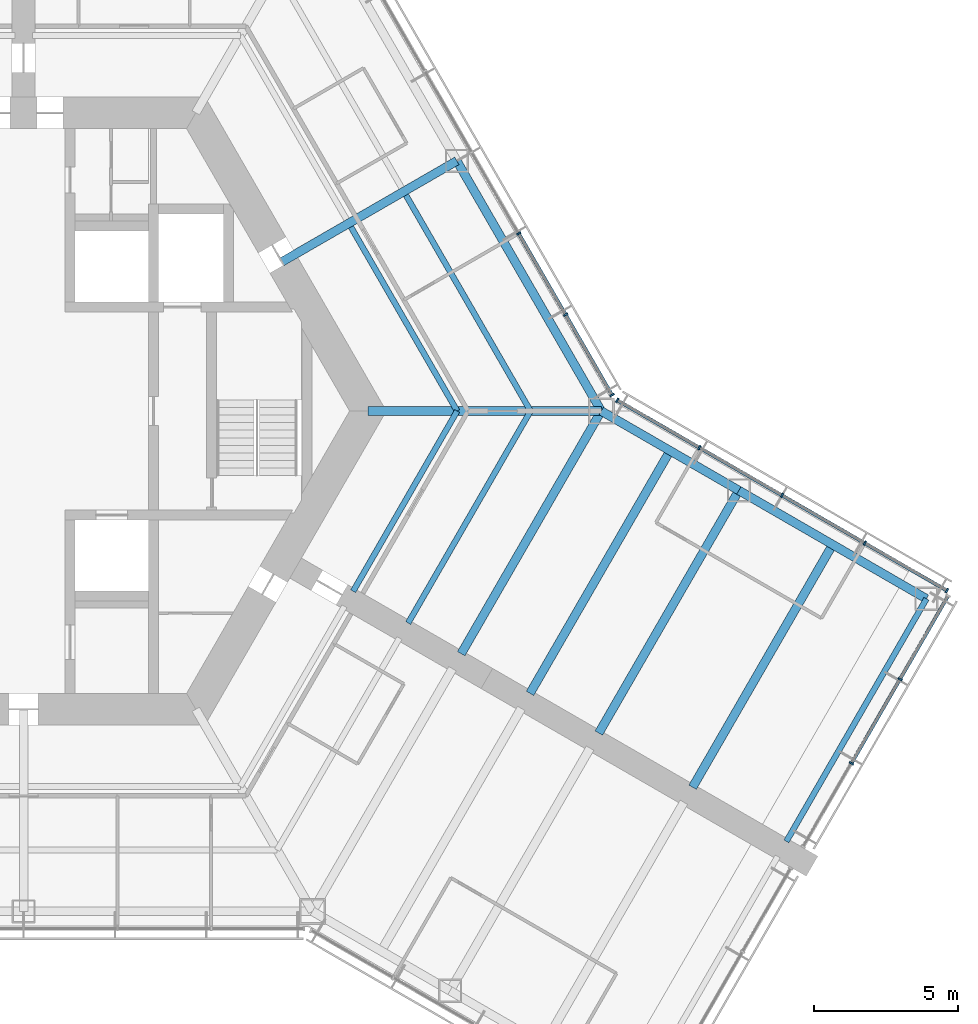
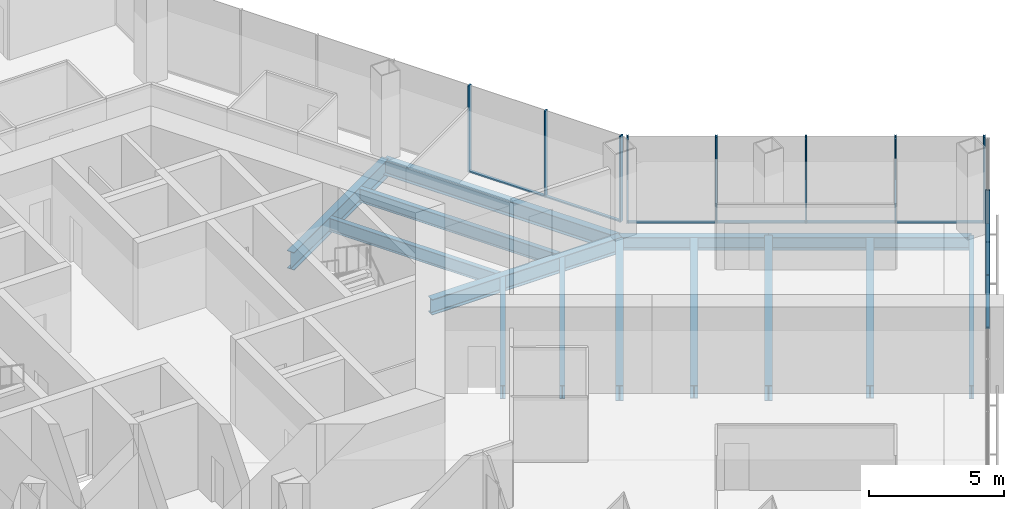
# One storey, part 6 of 19: 18 members, 14 beams, 3 elements without a shape of their own.
"""IFC4 building model written with IfcOpenShell, lengths in metres."""

from ifc_helpers import new_model, si_unit, direction, frame, origin, origin_2d, place, context, subcontext, project, spatial, rectangle, i_section, extrude, material, material_profile, profile_set, type_object, element, aggregate, save


model = new_model("IFC4")

# Units and contexts
model_context = context("Model", 3, precision=1e-05, world=origin(), true_north=direction((0.0, 1.0)))
body_context = subcontext(model_context, "Body", "Model", "MODEL_VIEW")
ifc_project = project(units=[si_unit("LENGTHUNIT", "METRE"), si_unit("AREAUNIT", "SQUARE_METRE"), si_unit("VOLUMEUNIT", "CUBIC_METRE"), si_unit("PLANEANGLEUNIT", "RADIAN"), si_unit("MASSUNIT", "GRAM", prefix="KILO")], contexts=[model_context])

# Site, building, storey
site_placement = place(None, origin())
site = spatial("IfcSite", under=ifc_project, at=site_placement, CompositionType="ELEMENT")
building_placement = place(site_placement, origin())
building = spatial("IfcBuilding", under=site, at=building_placement, Name="Kasaneha Research Tower", CompositionType="ELEMENT")
storey_placement = place(building_placement, frame((0.0, 0.0, 84.60009765625)))
storey = spatial("IfcBuildingStorey", under=building, at=storey_placement, Name="L21", CompositionType="ELEMENT", Elevation=84.60009765625)

# Beams
ifc_material_1 = material(Name="Steel SN490B", Category="steel")
ifc_material_profile_1 = material_profile(ifc_material_1, i_section(OverallWidth=0.199951171875, OverallDepth=0.60009765625, WebThickness=0.010986328125, FlangeThickness=0.01708984375, FilletRadius=0.012939453125, at=origin_2d()), Name="H-600x200x11x17")
ifc_profile_set_1 = profile_set([ifc_material_profile_1], Name="Steel SN490B")
beam_type_1 = type_object("IfcBeamType", Name="B1-3 secondary beam H-600x200x11x17", PredefinedType="JOIST", material=ifc_profile_set_1)
beam_1_placement = place(storey_placement, frame((15.010986328125, 0.0, -0.4501953125), z_axis=(-0.499994443168, 0.866028611999, 0.0), x_axis=(-0.866028611999, -0.499994443168, 0.0)))
element("IfcBeam", 1, at=beam_1_placement, inside=storey, type_object=beam_type_1, Name="Secondary beam RS030L1 L21", PredefinedType="JOIST", context=body_context, shape_type="SweptSolid", body=[
    extrude(i_section(OverallWidth=0.199951171875, OverallDepth=0.60009765625, WebThickness=0.010986328125, FlangeThickness=0.01708984375, FilletRadius=0.012939453125, at=origin_2d()), origin(), (0.0, 0.0, 1.0), 7.35546875),
])
beam_2_placement = place(storey_placement, frame((17.551513671875, 0.0, -0.4501953125), z_axis=(-0.5000050195, 0.866022505755, 0.0), x_axis=(-0.866022505755, -0.5000050195, 0.0)))
element("IfcBeam", 2, at=beam_2_placement, inside=storey, type_object=beam_type_1, Name="Secondary beam RS030L2 L21", PredefinedType="JOIST", context=body_context, shape_type="SweptSolid", body=[
    extrude(i_section(OverallWidth=0.199951171875, OverallDepth=0.60009765625, WebThickness=0.010986328125, FlangeThickness=0.01708984375, FilletRadius=0.012939453125, at=origin_2d()), origin(), (0.0, 0.0, 1.0), 8.6259765625),
])
beam_3_placement = place(storey_placement, frame((15.010986328125, 0.0, -0.4501953125), z_axis=(-0.499972735707, -0.866041144259, 0.0), x_axis=(0.866041144259, -0.499972735707, 0.0)))
element("IfcBeam", 3, at=beam_3_placement, inside=storey, type_object=beam_type_1, Name="Secondary beam RS330R1 L21", PredefinedType="JOIST", context=body_context, shape_type="SweptSolid", body=[
    extrude(i_section(OverallWidth=0.199951171875, OverallDepth=0.60009765625, WebThickness=0.010986328125, FlangeThickness=0.01708984375, FilletRadius=0.012939453125, at=origin_2d()), origin(), (0.0, 0.0, 1.0), 7.20556640625),
])
beam_4_placement = place(storey_placement, frame((17.551513671875, 0.0, -0.4501953125), z_axis=(-0.500020829043, -0.866013377797, 0.0), x_axis=(0.866013377797, -0.500020829043, 0.0)))
element("IfcBeam", 4, at=beam_4_placement, inside=storey, type_object=beam_type_1, Name="Secondary beam RS330R2 L21", PredefinedType="JOIST", context=body_context, shape_type="SweptSolid", body=[
    extrude(i_section(OverallWidth=0.199951171875, OverallDepth=0.60009765625, WebThickness=0.010986328125, FlangeThickness=0.01708984375, FilletRadius=0.012939453125, at=origin_2d()), origin(), (0.0, 0.0, 1.0), 8.475830078125),
])
ifc_material_2 = material(Name="Steel SN490B", Category="steel")
ifc_material_profile_2 = material_profile(ifc_material_2, i_section(OverallWidth=0.300048828125, OverallDepth=0.58203125, WebThickness=0.011962890625, FlangeThickness=0.01708984375, FilletRadius=0.012939453125, at=origin_2d()), Name="H-582x300x12x17")
ifc_profile_set_2 = profile_set([ifc_material_profile_2], Name="Steel SN490B")
beam_type_2 = type_object("IfcBeamType", Name="B2-3 secondary beam H-582x300x12x17", PredefinedType="JOIST", material=ifc_profile_set_2)
for number, where, z_axis, x_axis, name in (
    (5, (22.381591796875, -1.375, -0.441162109375), (-0.500010041276, -0.866019606374, 0.0), (0.866019606374, -0.500010041276, 0.0), "Secondary beam WBCN1 L21"),
    (6, (28.0107421875, -4.625, -0.441162109375), (-0.500010041276, -0.866019606374, 0.0), (0.866019606374, -0.500010041276, 0.0), "Secondary beam WBCN2 L21"),
):
    element("IfcBeam", number, at=place(storey_placement, frame(where, z_axis=z_axis, x_axis=x_axis)), inside=storey, type_object=beam_type_2, Name=name, PredefinedType="JOIST", context=body_context, shape_type="SweptSolid", body=[
        extrude(i_section(OverallWidth=0.300048828125, OverallDepth=0.58203125, WebThickness=0.011962890625, FlangeThickness=0.01708984375, FilletRadius=0.012939453125, at=origin_2d()), origin(), (0.0, 0.0, 1.0), 9.699951171875),
    ])

# Curtain wall, members
ifc_material_3 = material(Name="Glass and aluminium", Category="aluminium")
curtain_wall_type = type_object("IfcCurtainWallType", Name="Low-rise office curtain wall", PredefinedType="USERDEFINED", material=ifc_material_3)
curtain_wall_1_placement = place(storey_placement, origin())
curtain_wall_1 = element("IfcCurtainWall", 7, at=curtain_wall_1_placement, inside=storey, type_object=curtain_wall_type, Name="CW-O1 L21 run 05a", ObjectType="UNITISED CURTAIN WALL", PredefinedType="USERDEFINED")
ifc_material_4 = material(Name="Aluminium 6063-T6", Category="aluminium")
ifc_material_profile_3 = material_profile(ifc_material_4, rectangle(XDim=0.06005859375, YDim=0.159912109375, at=origin_2d()), Name="CW-O1 mullion 60x160")
ifc_profile_set_3 = profile_set([ifc_material_profile_3], Name="Aluminium 6063-T6")
member_type_1 = type_object("IfcMemberType", Name="CW-O1 mullion", PredefinedType="MULLION", material=ifc_profile_set_3)
member_1_placement = place(storey_placement, frame((28.661376953125, -12.1982421875, 0.0), z_axis=(0.0, 0.0, 1.0), x_axis=(0.500000011442, 0.866025397178, 0.0)))
member_1 = element("IfcMember", 8, at=member_1_placement, type_object=member_type_1, Name="CW-O1 mullion 2", PredefinedType="MULLION", context=body_context, shape_type="SweptSolid", body=[
    extrude(rectangle(XDim=0.06005859375, YDim=0.159912109375, at=origin_2d()), origin(), (0.0, 0.0, 1.0), 3.89990234375),
])
member_2_placement = place(storey_placement, frame((30.3447265625, -9.28271484375, 0.0), z_axis=(0.0, 0.0, 1.0), x_axis=(0.500000011442, 0.866025397178, 0.0)))
member_2 = element("IfcMember", 9, at=member_2_placement, type_object=member_type_1, Name="CW-O1 mullion 3", PredefinedType="MULLION", context=body_context, shape_type="SweptSolid", body=[
    extrude(rectangle(XDim=0.06005859375, YDim=0.159912109375, at=origin_2d()), origin(), (0.0, 0.0, 1.0), 3.89990234375),
])

curtain_wall_2_placement = place(storey_placement, origin())
curtain_wall_2 = element("IfcCurtainWall", 10, at=curtain_wall_2_placement, inside=storey, type_object=curtain_wall_type, Name="CW-O1 L21 run 06a", ObjectType="UNITISED CURTAIN WALL", PredefinedType="USERDEFINED")
member_3_placement = place(storey_placement, frame((31.96533203125, -6.21533203125, 0.0), z_axis=(0.0, 0.0, 1.0), x_axis=(-0.866025411464, 0.499999986699, 0.0)))
member_3 = element("IfcMember", 11, at=member_3_placement, type_object=member_type_1, Name="CW-O1 mullion 1", PredefinedType="MULLION", context=body_context, shape_type="SweptSolid", body=[
    extrude(rectangle(XDim=0.06005859375, YDim=0.159912109375, at=origin_2d()), origin(), (0.0, 0.0, 1.0), 3.89990234375),
])
member_4_placement = place(storey_placement, frame((29.125, -4.575439453125, 0.0), z_axis=(0.0, 0.0, 1.0), x_axis=(-0.866025411464, 0.499999986699, 0.0)))
member_4 = element("IfcMember", 12, at=member_4_placement, type_object=member_type_1, Name="CW-O1 mullion 2", PredefinedType="MULLION", context=body_context, shape_type="SweptSolid", body=[
    extrude(rectangle(XDim=0.06005859375, YDim=0.159912109375, at=origin_2d()), origin(), (0.0, 0.0, 1.0), 3.89990234375),
])
member_5_placement = place(storey_placement, frame((26.258544921875, -2.920654296875, 0.0), z_axis=(0.0, 0.0, 1.0), x_axis=(-0.866025411464, 0.499999986699, 0.0)))
member_5 = element("IfcMember", 13, at=member_5_placement, type_object=member_type_1, Name="CW-O1 mullion 3", PredefinedType="MULLION", context=body_context, shape_type="SweptSolid", body=[
    extrude(rectangle(XDim=0.06005859375, YDim=0.159912109375, at=origin_2d()), origin(), (0.0, 0.0, 1.0), 3.89990234375),
])
member_6_placement = place(storey_placement, frame((23.39208984375, -1.265625, 0.0), z_axis=(0.0, 0.0, 1.0), x_axis=(-0.866025411464, 0.499999986699, 0.0)))
member_6 = element("IfcMember", 14, at=member_6_placement, type_object=member_type_1, Name="CW-O1 mullion 4", PredefinedType="MULLION", context=body_context, shape_type="SweptSolid", body=[
    extrude(rectangle(XDim=0.06005859375, YDim=0.159912109375, at=origin_2d()), origin(), (0.0, 0.0, 1.0), 3.89990234375),
])
member_7_placement = place(storey_placement, frame((20.5517578125, 0.374267578125, 0.0), z_axis=(0.0, 0.0, 1.0), x_axis=(-0.866025411464, 0.499999986699, 0.0)))
member_7 = element("IfcMember", 15, at=member_7_placement, type_object=member_type_1, Name="CW-O1 mullion 5", PredefinedType="MULLION", context=body_context, shape_type="SweptSolid", body=[
    extrude(rectangle(XDim=0.06005859375, YDim=0.159912109375, at=origin_2d()), origin(), (0.0, 0.0, 1.0), 3.89990234375),
])

curtain_wall_3_placement = place(storey_placement, origin())
curtain_wall_3 = element("IfcCurtainWall", 16, at=curtain_wall_3_placement, inside=storey, type_object=curtain_wall_type, Name="CW-O1 L21 run 07a", ObjectType="UNITISED CURTAIN WALL", PredefinedType="USERDEFINED")
member_8_placement = place(storey_placement, frame((20.374267578125, 0.5517578125, 0.0), z_axis=(0.0, 0.0, 1.0), x_axis=(-0.49999996188, 0.866025425793, 0.0)))
member_8 = element("IfcMember", 17, at=member_8_placement, type_object=member_type_1, Name="CW-O1 mullion 1", PredefinedType="MULLION", context=body_context, shape_type="SweptSolid", body=[
    extrude(rectangle(XDim=0.06005859375, YDim=0.159912109375, at=origin_2d()), origin(), (0.0, 0.0, 1.0), 3.89990234375),
])
member_9_placement = place(storey_placement, frame((18.76611328125, 3.33740234375, 0.0), z_axis=(0.0, 0.0, 1.0), x_axis=(-0.49999996188, 0.866025425793, 0.0)))
member_9 = element("IfcMember", 18, at=member_9_placement, type_object=member_type_1, Name="CW-O1 mullion 2", PredefinedType="MULLION", context=body_context, shape_type="SweptSolid", body=[
    extrude(rectangle(XDim=0.06005859375, YDim=0.159912109375, at=origin_2d()), origin(), (0.0, 0.0, 1.0), 3.89990234375),
])
member_10_placement = place(storey_placement, frame((17.142822265625, 6.148681640625, 0.0), z_axis=(0.0, 0.0, 1.0), x_axis=(-0.49999996188, 0.866025425793, 0.0)))
member_10 = element("IfcMember", 19, at=member_10_placement, type_object=member_type_1, Name="CW-O1 mullion 3", PredefinedType="MULLION", context=body_context, shape_type="SweptSolid", body=[
    extrude(rectangle(XDim=0.06005859375, YDim=0.159912109375, at=origin_2d()), origin(), (0.0, 0.0, 1.0), 3.89990234375),
])

# Member
ifc_material_5 = material(Name="Aluminium 6063-T6", Category="aluminium")
ifc_material_profile_4 = material_profile(ifc_material_5, rectangle(XDim=0.1201171875, YDim=0.06005859375, at=origin_2d()), Name="CW-O1 transom 120x60")
ifc_profile_set_4 = profile_set([ifc_material_profile_4], Name="Aluminium 6063-T6")
member_type_2 = type_object("IfcMemberType", Name="CW-O1 transom", PredefinedType="USERDEFINED", material=ifc_profile_set_4)
member_11_placement = place(storey_placement, frame((28.67626953125, -12.17236328125, 0.02978515625), z_axis=(0.499982354831, 0.866035590988, 0.0), x_axis=(-0.866035590988, 0.499982354831, 0.0)))
member_11 = element("IfcMember", 20, at=member_11_placement, type_object=member_type_2, Name="CW-O1 transom 2", ObjectType="TRANSOM", PredefinedType="USERDEFINED", context=body_context, shape_type="SweptSolid", body=[
    extrude(rectangle(XDim=0.1201171875, YDim=0.06005859375, at=origin_2d()), origin(), (0.0, 0.0, 1.0), 3.306640625),
])

member_12_placement = place(storey_placement, frame((30.359619140625, -9.256591796875, 0.02978515625), z_axis=(0.500025583411, 0.866010632691, 0.0), x_axis=(-0.866010632691, 0.500025583411, 0.0)))
member_12 = element("IfcMember", 21, at=member_12_placement, type_object=member_type_2, Name="CW-O1 transom 3", ObjectType="TRANSOM", PredefinedType="USERDEFINED", context=body_context, shape_type="SweptSolid", body=[
    extrude(rectangle(XDim=0.1201171875, YDim=0.06005859375, at=origin_2d()), origin(), (0.0, 0.0, 1.0), 3.276611328125),
])

aggregate(curtain_wall_1, [member_1, member_2, member_11, member_12])

member_13_placement = place(storey_placement, frame((31.939453125, -6.200439453125, 0.02978515625), z_axis=(-0.866041647767, 0.499971863542, 0.0), x_axis=(-0.499971863542, -0.866041647767, 0.0)))
member_13 = element("IfcMember", 22, at=member_13_placement, type_object=member_type_2, Name="CW-O1 transom 1", ObjectType="TRANSOM", PredefinedType="USERDEFINED", context=body_context, shape_type="SweptSolid", body=[
    extrude(rectangle(XDim=0.1201171875, YDim=0.06005859375, at=origin_2d()), origin(), (0.0, 0.0, 1.0), 3.219970703125),
])

member_14_placement = place(storey_placement, frame((29.098876953125, -4.560546875, 0.02978515625), z_axis=(-0.86599666273, 0.500049777664, 0.0), x_axis=(-0.500049777664, -0.86599666273, 0.0)))
member_14 = element("IfcMember", 23, at=member_14_placement, type_object=member_type_2, Name="CW-O1 transom 2", ObjectType="TRANSOM", PredefinedType="USERDEFINED", context=body_context, shape_type="SweptSolid", body=[
    extrude(rectangle(XDim=0.1201171875, YDim=0.06005859375, at=origin_2d()), origin(), (0.0, 0.0, 1.0), 3.249755859375),
])

member_15_placement = place(storey_placement, frame((26.232666015625, -2.905517578125, 0.02978515625), z_axis=(-0.86604797581, 0.499960902066, 0.0), x_axis=(-0.499960902066, -0.86604797581, 0.0)))
member_15 = element("IfcMember", 24, at=member_15_placement, type_object=member_type_2, Name="CW-O1 transom 3", ObjectType="TRANSOM", PredefinedType="USERDEFINED", context=body_context, shape_type="SweptSolid", body=[
    extrude(rectangle(XDim=0.1201171875, YDim=0.06005859375, at=origin_2d()), origin(), (0.0, 0.0, 1.0), 3.249755859375),
])

member_16_placement = place(storey_placement, frame((23.3662109375, -1.250732421875, 0.02978515625), z_axis=(-0.866022692473, 0.500004696101, 0.0), x_axis=(-0.500004696101, -0.866022692473, 0.0)))
member_16 = element("IfcMember", 25, at=member_16_placement, type_object=member_type_2, Name="CW-O1 transom 4", ObjectType="TRANSOM", PredefinedType="USERDEFINED", context=body_context, shape_type="SweptSolid", body=[
    extrude(rectangle(XDim=0.1201171875, YDim=0.06005859375, at=origin_2d()), origin(), (0.0, 0.0, 1.0), 3.2197265625),
])

aggregate(curtain_wall_2, [member_3, member_4, member_5, member_6, member_7, member_13, member_14, member_15, member_16])

member_17_placement = place(storey_placement, frame((20.359130859375, 0.577880859375, 0.02978515625), z_axis=(-0.499999210213, 0.866025859768, 0.0), x_axis=(-0.866025859768, -0.499999210213, 0.0)))
member_17 = element("IfcMember", 26, at=member_17_placement, type_object=member_type_2, Name="CW-O1 transom 1", ObjectType="TRANSOM", PredefinedType="USERDEFINED", context=body_context, shape_type="SweptSolid", body=[
    extrude(rectangle(XDim=0.1201171875, YDim=0.06005859375, at=origin_2d()), origin(), (0.0, 0.0, 1.0), 3.15625),
])

member_18_placement = place(storey_placement, frame((18.7509765625, 3.36328125, 0.02978515625), z_axis=(-0.500012062035, 0.866018439653, 0.0), x_axis=(-0.866018439653, -0.500012062035, 0.0)))
member_18 = element("IfcMember", 27, at=member_18_placement, type_object=member_type_2, Name="CW-O1 transom 2", ObjectType="TRANSOM", PredefinedType="USERDEFINED", context=body_context, shape_type="SweptSolid", body=[
    extrude(rectangle(XDim=0.1201171875, YDim=0.06005859375, at=origin_2d()), origin(), (0.0, 0.0, 1.0), 3.1865234375),
])

aggregate(curtain_wall_3, [member_8, member_9, member_10, member_17, member_18])

# Beams
ifc_material_6 = material(Name="Steel SN490B", Category="steel")
ifc_material_profile_5 = material_profile(ifc_material_6, i_section(OverallWidth=0.300048828125, OverallDepth=0.699951171875, WebThickness=0.012939453125, FlangeThickness=0.02392578125, FilletRadius=0.01806640625, at=origin_2d()), Name="H-700x300x13x24")
ifc_profile_set_5 = profile_set([ifc_material_profile_5], Name="Steel SN490B")
beam_type_3 = type_object("IfcBeamType", Name="G1-3 radial girder H-700x300x13x24", PredefinedType="BEAM", material=ifc_profile_set_5)
beam_5_placement = place(storey_placement, frame((11.92236328125, 0.0, -0.5), z_axis=(1.0, 0.0, 0.0), x_axis=(0.0, 1.0, 0.0)))
element("IfcBeam", 28, at=beam_5_placement, inside=storey, type_object=beam_type_3, Name="Radial girder RV000 L21", PredefinedType="BEAM", context=body_context, shape_type="SweptSolid", body=[
    extrude(i_section(OverallWidth=0.300048828125, OverallDepth=0.699951171875, WebThickness=0.012939453125, FlangeThickness=0.02392578125, FilletRadius=0.01806640625, at=origin_2d()), origin(), (0.0, 0.0, 1.0), 8.07763671875),
])
ifc_material_7 = material(Name="Steel SN490B", Category="steel")
ifc_material_profile_6 = material_profile(ifc_material_7, i_section(OverallWidth=0.300048828125, OverallDepth=0.800048828125, WebThickness=0.013916015625, FlangeThickness=0.02587890625, FilletRadius=0.01806640625, at=origin_2d()), Name="H-800x300x14x26")
ifc_profile_set_6 = profile_set([ifc_material_profile_6], Name="Steel SN490B")
beam_type_4 = type_object("IfcBeamType", Name="G2-3 radial girder H-800x300x14x26", PredefinedType="BEAM", material=ifc_profile_set_6)
beam_6_placement = place(storey_placement, frame((8.941650390625, 5.16259765625, -0.550048828125), z_axis=(0.866039713508, 0.499975214012, 0.0), x_axis=(-0.499975214012, 0.866039713508, 0.0)))
element("IfcBeam", 29, at=beam_6_placement, inside=storey, type_object=beam_type_4, Name="Radial girder RM030 L21", PredefinedType="BEAM", context=body_context, shape_type="SweptSolid", body=[
    extrude(i_section(OverallWidth=0.300048828125, OverallDepth=0.800048828125, WebThickness=0.013916015625, FlangeThickness=0.02587890625, FilletRadius=0.01806640625, at=origin_2d()), origin(), (0.0, 0.0, 1.0), 6.995361328125),
])
ifc_material_8 = material(Name="Steel SN490B", Category="steel")
ifc_material_profile_7 = material_profile(ifc_material_8, i_section(OverallWidth=0.300048828125, OverallDepth=0.69189453125, WebThickness=0.012939453125, FlangeThickness=0.02001953125, FilletRadius=0.01806640625, at=origin_2d()), Name="H-692x300x13x20")
ifc_profile_set_7 = profile_set([ifc_material_profile_7], Name="Steel SN490B")
beam_type_5 = type_object("IfcBeamType", Name="G3-3 plate edge girder H-692x300x13x20", PredefinedType="BEAM", material=ifc_profile_set_7)
beam_7_placement = place(storey_placement, frame((20.0, 0.0, -0.49609375), z_axis=(-0.500010041276, -0.866019606374, 0.0), x_axis=(0.866019606374, -0.500010041276, 0.0)))
element("IfcBeam", 30, at=beam_7_placement, inside=storey, type_object=beam_type_5, Name="Plate edge girder PECN L21", PredefinedType="BEAM", context=body_context, shape_type="SweptSolid", body=[
    extrude(i_section(OverallWidth=0.300048828125, OverallDepth=0.69189453125, WebThickness=0.012939453125, FlangeThickness=0.02001953125, FilletRadius=0.01806640625, at=origin_2d()), origin(), (0.0, 0.0, 1.0), 9.699951171875),
])
ifc_material_9 = material(Name="Steel SN490B", Category="steel")
ifc_material_profile_8 = material_profile(ifc_material_9, i_section(OverallWidth=0.300048828125, OverallDepth=0.699951171875, WebThickness=0.012939453125, FlangeThickness=0.02392578125, FilletRadius=0.01806640625, at=origin_2d()), Name="H-700x300x13x24")
ifc_profile_set_8 = profile_set([ifc_material_profile_8], Name="Steel SN490B")
beam_type_6 = type_object("IfcBeamType", Name="G4-3 wing girder H-700x300x13x24", PredefinedType="BEAM", material=ifc_profile_set_8)
beam_8_placement = place(storey_placement, frame((24.76318359375, -2.75, -0.5), z_axis=(-0.500010041276, -0.866019606374, 0.0), x_axis=(0.866019606374, -0.500010041276, 0.0)))
element("IfcBeam", 31, at=beam_8_placement, inside=storey, type_object=beam_type_6, Name="Wing girder WGCN L21", PredefinedType="BEAM", context=body_context, shape_type="SweptSolid", body=[
    extrude(i_section(OverallWidth=0.300048828125, OverallDepth=0.699951171875, WebThickness=0.012939453125, FlangeThickness=0.02392578125, FilletRadius=0.01806640625, at=origin_2d()), origin(), (0.0, 0.0, 1.0), 9.699951171875),
])
ifc_material_10 = material(Name="Steel SN490B", Category="steel")
ifc_material_profile_9 = material_profile(ifc_material_10, i_section(OverallWidth=0.300048828125, OverallDepth=0.69189453125, WebThickness=0.012939453125, FlangeThickness=0.02001953125, FilletRadius=0.01806640625, at=origin_2d()), Name="H-692x300x13x20")
ifc_profile_set_9 = profile_set([ifc_material_profile_9], Name="Steel SN490B")
beam_type_7 = type_object("IfcBeamType", Name="SB1-3 spandrel beam H-692x300x13x20", PredefinedType="SPANDREL", material=ifc_profile_set_9)
beam_9_placement = place(storey_placement, frame((20.0, 0.0, -0.49609375), z_axis=(-0.500004234368, 0.866022959057, 0.0), x_axis=(-0.866022959057, -0.500004234368, 0.0)))
element("IfcBeam", 32, at=beam_9_placement, inside=storey, type_object=beam_type_7, Name="Spandrel beam SR030L L21", PredefinedType="SPANDREL", context=body_context, shape_type="SweptSolid", body=[
    extrude(i_section(OverallWidth=0.300048828125, OverallDepth=0.69189453125, WebThickness=0.012939453125, FlangeThickness=0.02001953125, FilletRadius=0.01806640625, at=origin_2d()), origin(), (0.0, 0.0, 1.0), 10.0),
])
ifc_material_11 = material(Name="Steel SN490B", Category="steel")
ifc_material_profile_10 = material_profile(ifc_material_11, i_section(OverallWidth=0.300048828125, OverallDepth=0.58203125, WebThickness=0.011962890625, FlangeThickness=0.01708984375, FilletRadius=0.012939453125, at=origin_2d()), Name="H-582x300x12x17")
ifc_profile_set_10 = profile_set([ifc_material_profile_10], Name="Steel SN490B")
beam_type_8 = type_object("IfcBeamType", Name="SB2-3 spandrel beam H-582x300x12x17", PredefinedType="SPANDREL", material=ifc_profile_set_10)
beam_10_placement = place(storey_placement, frame((20.0, 0.0, -0.441162109375), z_axis=(0.866027397988, -0.499996545922, 0.0), x_axis=(0.499996545922, 0.866027397988, 0.0)))
element("IfcBeam", 33, at=beam_10_placement, inside=storey, type_object=beam_type_8, Name="Spandrel beam WSCN1 L21", PredefinedType="SPANDREL", context=body_context, shape_type="SweptSolid", body=[
    extrude(i_section(OverallWidth=0.300048828125, OverallDepth=0.58203125, WebThickness=0.011962890625, FlangeThickness=0.01708984375, FilletRadius=0.012939453125, at=origin_2d()), origin(), (0.0, 0.0, 1.0), 5.5),
])
beam_11_placement = place(storey_placement, frame((24.76318359375, -2.75, -0.441162109375), z_axis=(0.866022959057, -0.500004234368, 0.0), x_axis=(0.500004234368, 0.866022959057, 0.0)))
element("IfcBeam", 34, at=beam_11_placement, inside=storey, type_object=beam_type_8, Name="Spandrel beam WSCN2 L21", PredefinedType="SPANDREL", context=body_context, shape_type="SweptSolid", body=[
    extrude(i_section(OverallWidth=0.300048828125, OverallDepth=0.58203125, WebThickness=0.011962890625, FlangeThickness=0.01708984375, FilletRadius=0.012939453125, at=origin_2d()), origin(), (0.0, 0.0, 1.0), 7.5),
])
ifc_material_12 = material(Name="Steel SN490B", Category="steel")
ifc_material_profile_11 = material_profile(ifc_material_12, i_section(OverallWidth=0.199951171875, OverallDepth=0.60009765625, WebThickness=0.010986328125, FlangeThickness=0.01708984375, FilletRadius=0.012939453125, at=origin_2d()), Name="H-600x200x11x17")
ifc_profile_set_11 = profile_set([ifc_material_profile_11], Name="Steel SN490B")
beam_type_9 = type_object("IfcBeamType", Name="SB3-3 spandrel beam H-600x200x11x17", PredefinedType="SPANDREL", material=ifc_profile_set_11)
beam_12_placement = place(storey_placement, frame((31.25830078125, -6.5, -0.4501953125), z_axis=(-0.499991164321, -0.866030505006, 0.0), x_axis=(0.866030505006, -0.499991164321, 0.0)))
element("IfcBeam", 35, at=beam_12_placement, inside=storey, type_object=beam_type_9, Name="Spandrel beam WTCN L21", PredefinedType="SPANDREL", context=body_context, shape_type="SweptSolid", body=[
    extrude(i_section(OverallWidth=0.199951171875, OverallDepth=0.60009765625, WebThickness=0.010986328125, FlangeThickness=0.01708984375, FilletRadius=0.012939453125, at=origin_2d()), origin(), (0.0, 0.0, 1.0), 9.699951171875),
])

save(model, "model.ifc")
